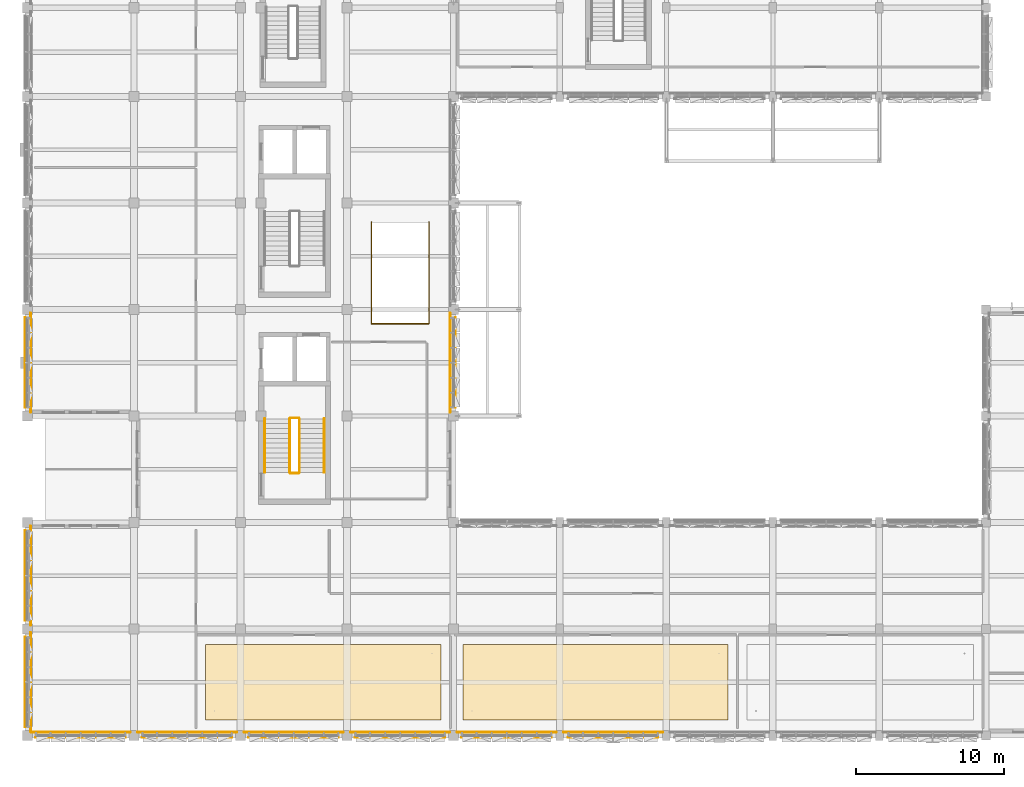
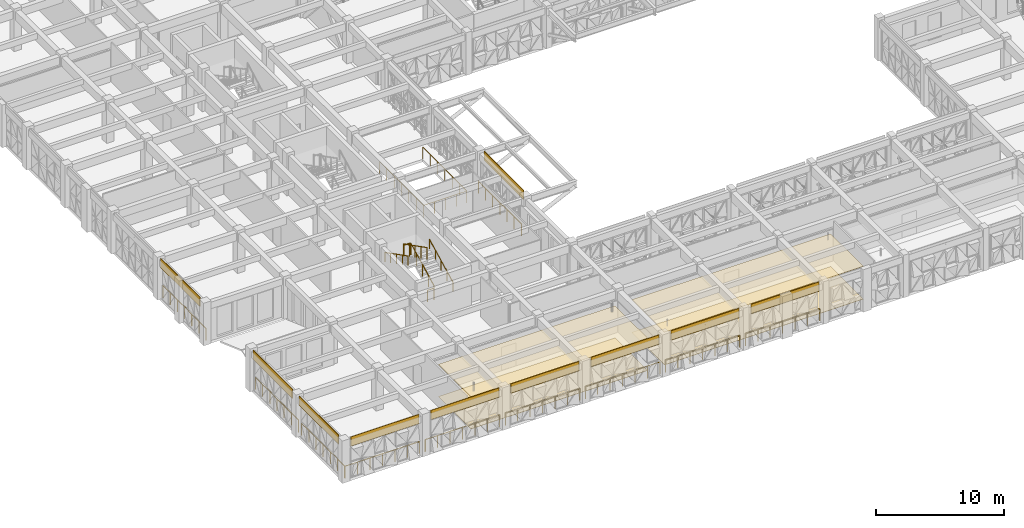
# One storey, part 70 of 88: 17 railings, 14 coverings.
"""IFC4 building model written with IfcOpenShell, lengths in metres."""

import ifcopenshell
import ifcopenshell.guid

model = None  # the IFC model being written
_history = None  # IfcOwnerHistory: only IFC2X3 demands one
_inside = {}  # id of a spatial element -> (the spatial element, [elements in it])
_under = {}  # id of a project, library or spatial element -> (it, [spatial elements below it])
_declared = {}  # id of a project -> (the project, [libraries it declares])
_typed = {}  # id of a type object -> (the type object, [elements of that type])
_made_of = {}  # id of a material, layer set ... -> (it, [elements and type objects made of it])


def new_model(schema):
    """Start an empty IFC model of exactly this schema.

    Asked for "IFC4X3", IfcOpenShell would pick the latest addendum, in which some entities
    have other attributes; the version numbers below select the first issue.
    IFC2X3 requires an IfcOwnerHistory on every rooted entity: one is made here for all.
    """
    global model, _history
    if schema == "IFC4X3":
        model = ifcopenshell.file(schema_version=(4, 3, 0, 0))
    else:
        model = ifcopenshell.file(schema=schema)
    _inside.clear()
    _under.clear()
    _declared.clear()
    _typed.clear()
    _made_of.clear()
    _history = None
    if model.schema == "IFC2X3":
        org = make("IfcOrganization", Name="unknown")
        user = make(
            "IfcPersonAndOrganization",
            ThePerson=make("IfcPerson", FamilyName="unknown"),
            TheOrganization=org,
        )
        app = make(
            "IfcApplication",
            ApplicationDeveloper=org,
            Version="unknown",
            ApplicationFullName="unknown",
            ApplicationIdentifier="unknown",
        )
        _history = make(
            "IfcOwnerHistory",
            OwningUser=user,
            OwningApplication=app,
            ChangeAction="ADDED",
            CreationDate=0,
        )
    return model


def make(cls, **values):
    """One entity of the class cls with the attributes given. An attribute that is None is left unset."""
    return model.create_entity(
        cls, **{name: value for name, value in values.items() if value is not None}
    )


def rooted(cls, **values):
    """An entity with a GlobalId (a new one), such as an element, a storey or a relation."""
    return make(cls, GlobalId=ifcopenshell.guid.new(), OwnerHistory=_history, **values)


def si_unit(unit_type, name, prefix=None):
    """IfcSIUnit, for example si_unit("LENGTHUNIT", "METRE", prefix="MILLI")."""
    return make("IfcSIUnit", UnitType=unit_type, Prefix=prefix, Name=name)


def assignment(units):
    """IfcUnitAssignment: the units of a project."""
    return None if units is None else make("IfcUnitAssignment", Units=units)


def point(xyz):
    """IfcCartesianPoint."""
    return None if xyz is None else make("IfcCartesianPoint", Coordinates=xyz)


def direction(xyz):
    """IfcDirection."""
    return None if xyz is None else make("IfcDirection", DirectionRatios=xyz)


def frame(location, z_axis=None, x_axis=None):
    """IfcAxis2Placement3D, a coordinate frame: its origin and axes. An axis left out is left unset."""
    return make(
        "IfcAxis2Placement3D",
        Location=point(location),
        Axis=direction(z_axis),
        RefDirection=direction(x_axis),
    )


def frame_2d(location, x_axis=None):
    """IfcAxis2Placement2D, a coordinate frame in the plane: its origin and x axis."""
    return make(
        "IfcAxis2Placement2D", Location=point(location), RefDirection=direction(x_axis)
    )


def origin():
    """The frame at (0, 0, 0) with its axes left unset."""
    return frame((0.0, 0.0, 0.0))


def origin_2d():
    """The frame at (0, 0) in the plane with its x axis left unset."""
    return frame_2d((0.0, 0.0))


def place(relative_to, where):
    """IfcLocalPlacement: puts the frame where relative to a parent placement (None: the world)."""
    return make(
        "IfcLocalPlacement", PlacementRelTo=relative_to, RelativePlacement=where
    )


def context(
    kind, dimensions, precision=None, world=None, true_north=None, identifier=None
):
    """IfcGeometricRepresentationContext, for example the 3D "Model" context."""
    return make(
        "IfcGeometricRepresentationContext",
        ContextIdentifier=identifier,
        ContextType=kind,
        CoordinateSpaceDimension=dimensions,
        Precision=precision,
        WorldCoordinateSystem=world,
        TrueNorth=true_north,
    )


def subcontext(parent, identifier, kind, view, scale=None):
    """IfcGeometricRepresentationSubContext, for example "Body" below "Model"."""
    return make(
        "IfcGeometricRepresentationSubContext",
        ContextIdentifier=identifier,
        ContextType=kind,
        ParentContext=parent,
        TargetScale=scale,
        TargetView=view,
    )


def project(units=None, contexts=None):
    """IfcProject with its units and contexts."""
    return rooted(
        "IfcProject",
        Name="project",
        RepresentationContexts=contexts,
        UnitsInContext=assignment(units),
    )


def spatial(cls, under=None, at=None, **own):
    """A site, building, storey or space (cls), placed at a placement, below another one or the project."""
    s = rooted(cls, ObjectPlacement=at, **own)
    if under is not None:
        _under.setdefault(under.id(), (under, []))[1].append(s)
    return s


def polyline(points):
    """IfcPolyline through the points."""
    return make("IfcPolyline", Points=[point(p) for p in points])


def profile(cls, at=None, kind="AREA", **sizes):
    """A parametric profile (cls). Its sizes go by their IFC names, for example OverallWidth=200.0."""
    return make(cls, ProfileType=kind, Position=at, **sizes)


def circle(**sizes):
    """IfcCircleProfileDef."""
    return profile("IfcCircleProfileDef", **sizes)


def outline(outer, holes=None, kind="AREA"):
    """IfcArbitraryClosedProfileDef: a profile drawn as a closed curve; with holes, ...WithVoids."""
    if holes is None:
        return make("IfcArbitraryClosedProfileDef", ProfileType=kind, OuterCurve=outer)
    return make(
        "IfcArbitraryProfileDefWithVoids",
        ProfileType=kind,
        OuterCurve=outer,
        InnerCurves=holes,
    )


def extrude(swept, where, along, depth):
    """IfcExtrudedAreaSolid: the profile swept, set in the frame where, extruded along a direction by depth."""
    return make(
        "IfcExtrudedAreaSolid",
        SweptArea=swept,
        Position=where,
        ExtrudedDirection=direction(along),
        Depth=depth,
    )


def shape(context_of_items, identifier, shape_type, items):
    """IfcShapeRepresentation: the items that make up one representation, for example the "Body"."""
    return make(
        "IfcShapeRepresentation",
        ContextOfItems=context_of_items,
        RepresentationIdentifier=identifier,
        RepresentationType=shape_type,
        Items=items,
    )


def material(Name=None, Category=None):
    """IfcMaterial."""
    return make("IfcMaterial", Name=Name, Category=Category)


def layer(
    of_material, thickness, ventilated=None, Name=None, Category=None, Priority=None
):
    """IfcMaterialLayer: one layer of a wall or slab, of a material (None: an air gap)."""
    return make(
        "IfcMaterialLayer",
        Material=of_material,
        LayerThickness=thickness,
        IsVentilated=ventilated,
        Name=Name,
        Category=Category,
        Priority=Priority,
    )


def layer_set(layers, Name=None):
    """IfcMaterialLayerSet."""
    return make("IfcMaterialLayerSet", MaterialLayers=layers, LayerSetName=Name)


def made_of(thing, what):
    """Note that an element or type object is made of a material, layer set ...; save() writes the relation."""
    if what is not None:
        _made_of.setdefault(what.id(), (what, []))[1].append(thing)
    return thing


def type_object(cls, material=None, **own):
    """A type object (cls), such as IfcWallType, which elements share."""
    return made_of(rooted(cls, **own), material)


def element(
    cls,
    number,
    at=None,
    inside=None,
    cuts=None,
    type_object=None,
    material=None,
    context=None,
    identifier="Body",
    shape_type=None,
    held_by="IfcProductDefinitionShape",
    body=None,
    shapes=None,
    **own,
):
    """One element of the class cls, such as IfcWall. Its Tag is "e" and its number.

    at: its placement. inside: the storey or other place that contains it. cuts: it is an
    opening in that element (IfcRelVoidsElement). A single representation is given by context,
    identifier, shape_type and body (its items); several are given by shapes. held_by: the class
    of the entity that holds the representations. save() writes the other relations.
    """
    e = rooted(cls, Tag="e%d" % number, ObjectPlacement=at, **own)
    if body is not None:
        shapes = [shape(context, identifier, shape_type, body)]
    if shapes is not None:
        e.Representation = make(held_by, Representations=shapes)
    if inside is not None:
        _inside.setdefault(inside.id(), (inside, []))[1].append(e)
    if cuts is not None:
        rooted(
            "IfcRelVoidsElement", RelatingBuildingElement=cuts, RelatedOpeningElement=e
        )
    if type_object is not None:
        _typed.setdefault(type_object.id(), (type_object, []))[1].append(e)
    return made_of(e, material)


def aggregate(whole, parts):
    """IfcRelAggregates: a whole, such as a stair, and the parts it consists of."""
    return rooted("IfcRelAggregates", RelatingObject=whole, RelatedObjects=parts)


def save(model, path):
    """Write the relations noted so far, then the file.

    IfcRelAggregates (storeys below a building ...), IfcRelContainedInSpatialStructure (elements
    in a storey), IfcRelDefinesByType, IfcRelAssociatesMaterial and IfcRelDeclares: one each for
    every whole, place, type object, material and project.
    """
    for whole, parts in _under.values():
        aggregate(whole, parts)
    for where, things in _inside.values():
        rooted(
            "IfcRelContainedInSpatialStructure",
            RelatedElements=things,
            RelatingStructure=where,
        )
    for kind, things in _typed.values():
        rooted("IfcRelDefinesByType", RelatedObjects=things, RelatingType=kind)
    for what, things in _made_of.values():
        rooted("IfcRelAssociatesMaterial", RelatedObjects=things, RelatingMaterial=what)
    for by, libraries in _declared.values():
        rooted("IfcRelDeclares", RelatingContext=by, RelatedDefinitions=libraries)
    model.write(path)


model = new_model("IFC4")

# Units and contexts
model_context = context("Model", 3, precision=1e-05, world=origin(), true_north=direction((0.0, 1.0)))
body_context = subcontext(model_context, "Body", "Model", "MODEL_VIEW")
ifc_project = project(units=[si_unit("LENGTHUNIT", "METRE"), si_unit("AREAUNIT", "SQUARE_METRE"), si_unit("VOLUMEUNIT", "CUBIC_METRE"), si_unit("PLANEANGLEUNIT", "RADIAN"), si_unit("MASSUNIT", "GRAM", prefix="KILO")], contexts=[model_context])

# Site, building, storey
site_placement = place(None, origin())
site = spatial("IfcSite", under=ifc_project, at=site_placement, CompositionType="ELEMENT")
building_placement = place(site_placement, origin())
building = spatial("IfcBuilding", under=site, at=building_placement, Name="Alvorim Cloister Faculty of Sciences", CompositionType="ELEMENT")
storey_placement = place(building_placement, frame((0.0, 0.0, 4.5)))
storey = spatial("IfcBuildingStorey", under=building, at=storey_placement, Name="L01", CompositionType="ELEMENT", Elevation=4.5)

# Coverings
ifc_material_1 = material(Name="Perforated Timber Acoustic Ceiling", Category="wood")
ifc_layer_1 = layer(ifc_material_1, 0.030029296875)
ifc_layer_set_1 = layer_set([ifc_layer_1], Name="Perforated Timber Acoustic Ceiling")
covering_type_1 = type_object("IfcCoveringType", Name="COV-CEIL-ACOUSTIC", PredefinedType="CEILING", material=ifc_layer_set_1)
covering_1_placement = place(storey_placement, frame((0.0, 0.0, 3.06005859375)))
element("IfcCovering", 1, at=covering_1_placement, inside=storey, type_object=covering_type_1, Name="Seminar Room 102 Acoustic Ceiling", PredefinedType="CEILING", context=body_context, shape_type="SweptSolid", body=[
    extrude(outline(polyline([(12.050048828125, 1.050048828125), (27.949951171875, 1.050048828125), (27.949951171875, 6.14990234375), (12.050048828125, 6.14990234375), (12.050048828125, 1.050048828125)])), origin(), (0.0, 0.0, 1.0), 0.030029296875),
])
covering_2_placement = place(storey_placement, frame((0.0, 0.0, 3.110107421875)))
element("IfcCovering", 2, at=covering_2_placement, inside=storey, type_object=covering_type_1, Name="Active Learning Studio 103 Acoustic Ceiling", PredefinedType="CEILING", context=body_context, shape_type="SweptSolid", body=[
    extrude(outline(polyline([(29.449951171875, 1.050048828125), (47.35009765625, 1.050048828125), (47.35009765625, 6.14990234375), (29.449951171875, 6.14990234375), (29.449951171875, 1.050048828125)])), origin(), (0.0, 0.0, 1.0), 0.02978515625),
])
ifc_material_2 = material(Name="Anodised Aluminium Alloy 6063-T6", Category="aluminium")
ifc_layer_2 = layer(ifc_material_2, 0.031982421875)
ifc_layer_set_2 = layer_set([ifc_layer_2], Name="Anodised Aluminium Alloy 6063-T6")
covering_type_2 = type_object("IfcCoveringType", Name="COV-FAC-CAS", PredefinedType="CLADDING", material=ifc_layer_set_2)
for number, where, z_axis, x_axis, name in (
    (3, (-0.14990234375, 22.139892578125, 3.14990234375), (0.0, 0.0, 1.0), (0.0, 1.0, 0.0), "L01 Shifted Bar Slab-Edge Architectural Fascia"),
    (4, (28.949951171875, 22.139892578125, 3.14990234375), (0.0, 0.0, 1.0), (0.0, 1.0, 0.0), "L01 Shifted Bar Slab-Edge Architectural Fascia"),
    (5, (36.5400390625, -0.14990234375, 3.14990234375), (0.0, 0.0, 1.0), (1.0, 0.0, 0.0), "L01 Shifted Bar Slab-Edge Architectural Fascia"),
    (6, (29.340087890625, -0.14990234375, 3.14990234375), (0.0, 0.0, 1.0), (1.0, 0.0, 0.0), "L01 Shifted Bar Slab-Edge Architectural Fascia"),
    (7, (22.139892578125, -0.14990234375, 3.14990234375), (0.0, 0.0, 1.0), (1.0, 0.0, 0.0), "L01 Shifted Bar Slab-Edge Architectural Fascia"),
    (8, (14.93994140625, -0.14990234375, 3.14990234375), (0.0, 0.0, 1.0), (1.0, 0.0, 0.0), "L01 Shifted Bar Slab-Edge Architectural Fascia"),
    (9, (7.739990234375, -0.14990234375, 3.14990234375), (0.0, 0.0, 1.0), (1.0, 0.0, 0.0), "L01 Shifted Bar Slab-Edge Architectural Fascia"),
    (10, (0.5400390625, -0.14990234375, 3.14990234375), (0.0, 0.0, 1.0), (1.0, 0.0, 0.0), "L01 Shifted Bar Slab-Edge Architectural Fascia"),
    (11, (-0.14990234375, 0.5400390625, 3.14990234375), (0.0, 0.0, 1.0), (0.0, 1.0, 0.0), "L01 Shifted Bar Slab-Edge Architectural Fascia"),
    (12, (-0.14990234375, 7.739990234375, 3.14990234375), (0.0, 0.0, 1.0), (0.0, 1.0, 0.0), "L01 Shifted Bar Slab-Edge Architectural Fascia"),
):
    element("IfcCovering", number, at=place(storey_placement, frame(where, z_axis=z_axis, x_axis=x_axis)), inside=storey, type_object=covering_type_2, Name=name, PredefinedType="CLADDING", context=body_context, shape_type="SweptSolid", body=[
        extrude(outline(polyline([(0.0, 0.0), (6.1201171875, 0.0), (6.1201171875, 0.89013671875), (0.0, 0.89013671875), (0.0, 0.0)])), frame((0.0, 0.0224609375, 0.0), z_axis=(0.0, -1.0, 0.0), x_axis=(1.0, 0.0, 0.0)), (0.0, 0.0, 1.0), 0.044921875),
    ])
ifc_material_3 = material(Name="Polished Mineral Terrazzo", Category="concrete")
ifc_layer_3 = layer(ifc_material_3, 0.030029296875)
ifc_layer_set_3 = layer_set([ifc_layer_3], Name="Polished Mineral Terrazzo")
covering_type_3 = type_object("IfcCoveringType", Name="COV-FLR-TERRAZZO", PredefinedType="FLOORING", material=ifc_layer_set_3)
covering_3_placement = place(storey_placement, origin())
element("IfcCovering", 13, at=covering_3_placement, inside=storey, type_object=covering_type_3, Name="Seminar Room 102 Floor Finish", PredefinedType="FLOORING", context=body_context, shape_type="SweptSolid", body=[
    extrude(outline(polyline([(12.050048828125, 1.050048828125), (27.949951171875, 1.050048828125), (27.949951171875, 6.14990234375), (12.050048828125, 6.14990234375), (12.050048828125, 1.050048828125)])), origin(), (0.0, 0.0, 1.0), 0.030029296875),
])
covering_4_placement = place(storey_placement, origin())
element("IfcCovering", 14, at=covering_4_placement, inside=storey, type_object=covering_type_3, Name="Active Learning Studio 103 Floor Finish", PredefinedType="FLOORING", context=body_context, shape_type="SweptSolid", body=[
    extrude(outline(polyline([(29.449951171875, 1.050048828125), (47.35009765625, 1.050048828125), (47.35009765625, 6.14990234375), (29.449951171875, 6.14990234375), (29.449951171875, 1.050048828125)])), origin(), (0.0, 0.0, 1.0), 0.030029296875),
])

# Railings
ifc_material_4 = material(Name="Laminated Safety Glass and Bronze", Category="glass")
railing_type_1 = type_object("IfcRailingType", Name="RL-ATR-BAL-1150", PredefinedType="BALUSTRADE", material=ifc_material_4)
for number, where, name in (
    (15, (0.219970703125, 21.85009765625, 0.0), "L01 Curtain Wall Sill Guard BL-01"),
    (16, (28.580078125, 21.85009765625, 0.0), "L01 Curtain Wall Sill Guard BL-20"),
):
    element("IfcRailing", number, at=place(storey_placement, frame(where)), inside=storey, type_object=railing_type_1, Name=name, PredefinedType="BALUSTRADE", context=body_context, shape_type="SweptSolid", body=[
        extrude(circle(Radius=0.02392578125, at=origin_2d()), frame((0.0, 0.0, 1.1259765625), z_axis=(0.0, 1.0, 0.0), x_axis=(-1.0, 0.0, 0.0)), (0.0, 0.0, 1.0), 6.699951171875),
        extrude(circle(Radius=0.02099609375, at=origin_2d()), origin(), (0.0, 0.0, 1.0), 1.101806640625),
        extrude(circle(Radius=0.02099609375, at=origin_2d()), frame((0.0, 1.11669921875, 0.0)), (0.0, 0.0, 1.0), 1.101806640625),
        extrude(circle(Radius=0.02099609375, at=origin_2d()), frame((0.0, 2.2333984375, 0.0)), (0.0, 0.0, 1.0), 1.101806640625),
        extrude(circle(Radius=0.02099609375, at=origin_2d()), frame((0.0, 3.35009765625, 0.0)), (0.0, 0.0, 1.0), 1.101806640625),
        extrude(circle(Radius=0.02099609375, at=origin_2d()), frame((0.0, 4.466552734375, 0.0)), (0.0, 0.0, 1.0), 1.101806640625),
        extrude(circle(Radius=0.02099609375, at=origin_2d()), frame((0.0, 5.583251953125, 0.0)), (0.0, 0.0, 1.0), 1.101806640625),
        extrude(circle(Radius=0.02099609375, at=origin_2d()), frame((0.0, 6.699951171875, 0.0)), (0.0, 0.0, 1.0), 1.101806640625),
    ])
for number, where, name in (
    (17, (36.25, 0.219970703125, 0.0), "L01 Curtain Wall Sill Guard BL-37"),
    (18, (29.050048828125, 0.219970703125, 0.0), "L01 Curtain Wall Sill Guard BL-38"),
    (19, (21.85009765625, 0.219970703125, 0.0), "L01 Curtain Wall Sill Guard BL-39"),
):
    element("IfcRailing", number, at=place(storey_placement, frame(where)), inside=storey, type_object=railing_type_1, Name=name, PredefinedType="BALUSTRADE", context=body_context, shape_type="SweptSolid", body=[
        extrude(circle(Radius=0.02392578125, at=origin_2d()), frame((0.0, 0.0, 1.1259765625), z_axis=(1.0, 0.0, 0.0), x_axis=(0.0, 1.0, 0.0)), (0.0, 0.0, 1.0), 6.699951171875),
        extrude(circle(Radius=0.02099609375, at=origin_2d()), origin(), (0.0, 0.0, 1.0), 1.101806640625),
        extrude(circle(Radius=0.02099609375, at=origin_2d()), frame((1.11669921875, 0.0, 0.0)), (0.0, 0.0, 1.0), 1.101806640625),
        extrude(circle(Radius=0.02099609375, at=origin_2d()), frame((2.2333984375, 0.0, 0.0)), (0.0, 0.0, 1.0), 1.101806640625),
        extrude(circle(Radius=0.02099609375, at=origin_2d()), frame((3.35009765625, 0.0, 0.0)), (0.0, 0.0, 1.0), 1.101806640625),
        extrude(circle(Radius=0.02099609375, at=origin_2d()), frame((4.466552734375, 0.0, 0.0)), (0.0, 0.0, 1.0), 1.101806640625),
        extrude(circle(Radius=0.02099609375, at=origin_2d()), frame((5.583251953125, 0.0, 0.0)), (0.0, 0.0, 1.0), 1.101806640625),
        extrude(circle(Radius=0.02099609375, at=origin_2d()), frame((6.699951171875, 0.0, 0.0)), (0.0, 0.0, 1.0), 1.101806640625),
    ])
railing_1_placement = place(storey_placement, frame((14.64990234375, 0.219970703125, 0.0)))
element("IfcRailing", 20, at=railing_1_placement, inside=storey, type_object=railing_type_1, Name="L01 Curtain Wall Sill Guard BL-40", PredefinedType="BALUSTRADE", context=body_context, shape_type="SweptSolid", body=[
    extrude(circle(Radius=0.02392578125, at=origin_2d()), frame((0.0, 0.0, 1.1259765625), z_axis=(1.0, 0.0, 0.0), x_axis=(0.0, 1.0, 0.0)), (0.0, 0.0, 1.0), 6.7001953125),
    extrude(circle(Radius=0.02099609375, at=origin_2d()), origin(), (0.0, 0.0, 1.0), 1.101806640625),
    extrude(circle(Radius=0.02099609375, at=origin_2d()), frame((1.11669921875, 0.0, 0.0)), (0.0, 0.0, 1.0), 1.101806640625),
    extrude(circle(Radius=0.02099609375, at=origin_2d()), frame((2.2333984375, 0.0, 0.0)), (0.0, 0.0, 1.0), 1.101806640625),
    extrude(circle(Radius=0.02099609375, at=origin_2d()), frame((3.35009765625, 0.0, 0.0)), (0.0, 0.0, 1.0), 1.101806640625),
    extrude(circle(Radius=0.02099609375, at=origin_2d()), frame((4.466796875, 0.0, 0.0)), (0.0, 0.0, 1.0), 1.101806640625),
    extrude(circle(Radius=0.02099609375, at=origin_2d()), frame((5.58349609375, 0.0, 0.0)), (0.0, 0.0, 1.0), 1.101806640625),
    extrude(circle(Radius=0.02099609375, at=origin_2d()), frame((6.7001953125, 0.0, 0.0)), (0.0, 0.0, 1.0), 1.101806640625),
])
for number, where, name in (
    (21, (7.449951171875, 0.219970703125, 0.0), "L01 Curtain Wall Sill Guard BL-41"),
    (22, (0.25, 0.219970703125, 0.0), "L01 Curtain Wall Sill Guard BL-42"),
):
    element("IfcRailing", number, at=place(storey_placement, frame(where)), inside=storey, type_object=railing_type_1, Name=name, PredefinedType="BALUSTRADE", context=body_context, shape_type="SweptSolid", body=[
        extrude(circle(Radius=0.02392578125, at=origin_2d()), frame((0.0, 0.0, 1.1259765625), z_axis=(1.0, 0.0, 0.0), x_axis=(0.0, 1.0, 0.0)), (0.0, 0.0, 1.0), 6.699951171875),
        extrude(circle(Radius=0.02099609375, at=origin_2d()), origin(), (0.0, 0.0, 1.0), 1.101806640625),
        extrude(circle(Radius=0.02099609375, at=origin_2d()), frame((1.11669921875, 0.0, 0.0)), (0.0, 0.0, 1.0), 1.101806640625),
        extrude(circle(Radius=0.02099609375, at=origin_2d()), frame((2.2333984375, 0.0, 0.0)), (0.0, 0.0, 1.0), 1.101806640625),
        extrude(circle(Radius=0.02099609375, at=origin_2d()), frame((3.35009765625, 0.0, 0.0)), (0.0, 0.0, 1.0), 1.101806640625),
        extrude(circle(Radius=0.02099609375, at=origin_2d()), frame((4.466552734375, 0.0, 0.0)), (0.0, 0.0, 1.0), 1.101806640625),
        extrude(circle(Radius=0.02099609375, at=origin_2d()), frame((5.583251953125, 0.0, 0.0)), (0.0, 0.0, 1.0), 1.101806640625),
        extrude(circle(Radius=0.02099609375, at=origin_2d()), frame((6.699951171875, 0.0, 0.0)), (0.0, 0.0, 1.0), 1.101806640625),
    ])
for number, where, name in (
    (23, (0.219970703125, 0.25, 0.0), "L01 Curtain Wall Sill Guard BL-43"),
    (24, (0.219970703125, 7.449951171875, 0.0), "L01 Curtain Wall Sill Guard BL-44"),
):
    element("IfcRailing", number, at=place(storey_placement, frame(where)), inside=storey, type_object=railing_type_1, Name=name, PredefinedType="BALUSTRADE", context=body_context, shape_type="SweptSolid", body=[
        extrude(circle(Radius=0.02392578125, at=origin_2d()), frame((0.0, 0.0, 1.1259765625), z_axis=(0.0, 1.0, 0.0), x_axis=(-1.0, 0.0, 0.0)), (0.0, 0.0, 1.0), 6.699951171875),
        extrude(circle(Radius=0.02099609375, at=origin_2d()), origin(), (0.0, 0.0, 1.0), 1.101806640625),
        extrude(circle(Radius=0.02099609375, at=origin_2d()), frame((0.0, 1.11669921875, 0.0)), (0.0, 0.0, 1.0), 1.101806640625),
        extrude(circle(Radius=0.02099609375, at=origin_2d()), frame((0.0, 2.2333984375, 0.0)), (0.0, 0.0, 1.0), 1.101806640625),
        extrude(circle(Radius=0.02099609375, at=origin_2d()), frame((0.0, 3.35009765625, 0.0)), (0.0, 0.0, 1.0), 1.101806640625),
        extrude(circle(Radius=0.02099609375, at=origin_2d()), frame((0.0, 4.466552734375, 0.0)), (0.0, 0.0, 1.0), 1.101806640625),
        extrude(circle(Radius=0.02099609375, at=origin_2d()), frame((0.0, 5.583251953125, 0.0)), (0.0, 0.0, 1.0), 1.101806640625),
        extrude(circle(Radius=0.02099609375, at=origin_2d()), frame((0.0, 6.699951171875, 0.0)), (0.0, 0.0, 1.0), 1.101806640625),
    ])
railing_2_placement = place(storey_placement, frame((23.2548828125, 34.719970703125, 0.0)))
element("IfcRailing", 25, at=railing_2_placement, inside=storey, type_object=railing_type_1, Name="L01 Monumental Stair Well Guard BL-343", PredefinedType="BALUSTRADE", context=body_context, shape_type="SweptSolid", body=[
    extrude(circle(Radius=0.02392578125, at=origin_2d()), frame((0.0, 0.0, 1.1259765625), z_axis=(0.0, -1.0, 0.0), x_axis=(1.0, 0.0, 0.0)), (0.0, 0.0, 1.0), 6.8798828125),
    extrude(circle(Radius=0.02392578125, at=origin_2d()), frame((0.0, -6.8798828125, 1.1259765625), z_axis=(1.0, 0.0, 0.0), x_axis=(0.0, 1.0, 0.0)), (0.0, 0.0, 1.0), 3.89013671875),
    extrude(circle(Radius=0.02392578125, at=origin_2d()), frame((3.89013671875, -6.8798828125, 1.1259765625), z_axis=(0.0, 1.0, 0.0), x_axis=(-1.0, 0.0, 0.0)), (0.0, 0.0, 1.0), 6.8798828125),
    extrude(circle(Radius=0.02099609375, at=origin_2d()), origin(), (0.0, 0.0, 1.0), 1.101806640625),
    extrude(circle(Radius=0.02099609375, at=origin_2d()), frame((0.0, -1.146728515625, 0.0)), (0.0, 0.0, 1.0), 1.101806640625),
    extrude(circle(Radius=0.02099609375, at=origin_2d()), frame((0.0, -2.293212890625, 0.0)), (0.0, 0.0, 1.0), 1.101806640625),
    extrude(circle(Radius=0.02099609375, at=origin_2d()), frame((0.0, -3.43994140625, 0.0)), (0.0, 0.0, 1.0), 1.101806640625),
    extrude(circle(Radius=0.02099609375, at=origin_2d()), frame((0.0, -4.586669921875, 0.0)), (0.0, 0.0, 1.0), 1.101806640625),
    extrude(circle(Radius=0.02099609375, at=origin_2d()), frame((0.0, -5.733154296875, 0.0)), (0.0, 0.0, 1.0), 1.101806640625),
    extrude(circle(Radius=0.02099609375, at=origin_2d()), frame((0.0, -6.8798828125, 0.0)), (0.0, 0.0, 1.0), 1.101806640625),
    extrude(circle(Radius=0.02099609375, at=origin_2d()), frame((0.97265625, -6.8798828125, 0.0)), (0.0, 0.0, 1.0), 1.101806640625),
    extrude(circle(Radius=0.02099609375, at=origin_2d()), frame((1.945068359375, -6.8798828125, 0.0)), (0.0, 0.0, 1.0), 1.101806640625),
    extrude(circle(Radius=0.02099609375, at=origin_2d()), frame((2.91748046875, -6.8798828125, 0.0)), (0.0, 0.0, 1.0), 1.101806640625),
    extrude(circle(Radius=0.02099609375, at=origin_2d()), frame((3.89013671875, -6.8798828125, 0.0)), (0.0, 0.0, 1.0), 1.101806640625),
    extrude(circle(Radius=0.02099609375, at=origin_2d()), frame((3.89013671875, -5.733154296875, 0.0)), (0.0, 0.0, 1.0), 1.101806640625),
    extrude(circle(Radius=0.02099609375, at=origin_2d()), frame((3.89013671875, -4.586669921875, 0.0)), (0.0, 0.0, 1.0), 1.101806640625),
    extrude(circle(Radius=0.02099609375, at=origin_2d()), frame((3.89013671875, -3.43994140625, 0.0)), (0.0, 0.0, 1.0), 1.101806640625),
    extrude(circle(Radius=0.02099609375, at=origin_2d()), frame((3.89013671875, -2.293212890625, 0.0)), (0.0, 0.0, 1.0), 1.101806640625),
    extrude(circle(Radius=0.02099609375, at=origin_2d()), frame((3.89013671875, -1.146728515625, 0.0)), (0.0, 0.0, 1.0), 1.101806640625),
    extrude(circle(Radius=0.02099609375, at=origin_2d()), frame((3.89013671875, 0.0, 0.0)), (0.0, 0.0, 1.0), 1.101806640625),
])
ifc_material_5 = material(Name="Galvanised Painted Steel", Category="steel")
railing_type_2 = type_object("IfcRailingType", Name="RL-STR-GUARD", PredefinedType="GUARDRAIL", material=ifc_material_5)
railing_3_placement = place(storey_placement, frame((18.389892578125, 17.780029296875, 0.168701171875)))
element("IfcRailing", 26, at=railing_3_placement, inside=storey, type_object=railing_type_2, Name="L01 ST-01 stair guard 1", PredefinedType="GUARDRAIL", context=body_context, shape_type="SweptSolid", body=[
    extrude(circle(Radius=0.02392578125, at=origin_2d()), frame((0.0, 0.0, 1.09619140625), z_axis=(0.0, 0.890342447641, 0.455291473595), x_axis=(-1.0, 0.0, 0.0)), (0.0, 0.0, 1.0), 4.076904296875),
    extrude(circle(Radius=0.02099609375, at=origin_2d()), origin(), (0.0, 0.0, 1.0), 1.072021484375),
    extrude(circle(Radius=0.02099609375, at=origin_2d()), frame((0.0, 0.907470703125, 0.464111328125)), (0.0, 0.0, 1.0), 1.072021484375),
    extrude(circle(Radius=0.02099609375, at=origin_2d()), frame((0.0, 1.81494140625, 0.92822265625)), (0.0, 0.0, 1.0), 1.072021484375),
    extrude(circle(Radius=0.02099609375, at=origin_2d()), frame((0.0, 2.722412109375, 1.39208984375)), (0.0, 0.0, 1.0), 1.072021484375),
    extrude(circle(Radius=0.02099609375, at=origin_2d()), frame((0.0, 3.6298828125, 1.856201171875)), (0.0, 0.0, 1.0), 1.072021484375),
])
railing_4_placement = place(storey_placement, frame((18.340087890625, 21.4599609375, 2.02490234375)))
element("IfcRailing", 27, at=railing_4_placement, inside=storey, type_object=railing_type_2, Name="L01 ST-01 stair guard 2", PredefinedType="GUARDRAIL", context=body_context, shape_type="SweptSolid", body=[
    extrude(circle(Radius=0.02392578125, at=origin_2d()), frame((0.0, 0.0, 1.09619140625), z_axis=(-1.0, 0.0, 0.0), x_axis=(0.0, -1.0, 0.0)), (0.0, 0.0, 1.0), 0.56005859375),
    extrude(circle(Radius=0.02099609375, at=origin_2d()), origin(), (0.0, 0.0, 1.0), 1.072021484375),
    extrude(circle(Radius=0.02099609375, at=origin_2d()), frame((-0.56005859375, 0.0, 0.0)), (0.0, 0.0, 1.0), 1.072021484375),
])
railing_5_placement = place(storey_placement, frame((17.72998046875, 21.409912109375, 2.19384765625)))
element("IfcRailing", 28, at=railing_5_placement, inside=storey, type_object=railing_type_2, Name="L01 ST-01 stair guard 3", PredefinedType="GUARDRAIL", context=body_context, shape_type="SweptSolid", body=[
    extrude(circle(Radius=0.02392578125, at=origin_2d()), frame((0.0, 0.0, 1.09619140625), z_axis=(0.0, -0.890342447641, 0.455291473595), x_axis=(1.0, 0.0, 0.0)), (0.0, 0.0, 1.0), 4.076904296875),
    extrude(circle(Radius=0.02099609375, at=origin_2d()), origin(), (0.0, 0.0, 1.0), 1.072021484375),
    extrude(circle(Radius=0.02099609375, at=origin_2d()), frame((0.0, -0.907470703125, 0.464111328125)), (0.0, 0.0, 1.0), 1.072021484375),
    extrude(circle(Radius=0.02099609375, at=origin_2d()), frame((0.0, -1.81494140625, 0.92822265625)), (0.0, 0.0, 1.0), 1.072021484375),
    extrude(circle(Radius=0.02099609375, at=origin_2d()), frame((0.0, -2.722412109375, 1.39208984375)), (0.0, 0.0, 1.0), 1.072021484375),
    extrude(circle(Radius=0.02099609375, at=origin_2d()), frame((0.0, -3.6298828125, 1.856201171875)), (0.0, 0.0, 1.0), 1.072021484375),
])
railing_6_placement = place(storey_placement, frame((18.340087890625, 17.72998046875, 0.0)))
element("IfcRailing", 29, at=railing_6_placement, inside=storey, type_object=railing_type_2, Name="L01 ST-01 stair guard 4", PredefinedType="GUARDRAIL", context=body_context, shape_type="SweptSolid", body=[
    extrude(circle(Radius=0.02392578125, at=origin_2d()), frame((0.0, 0.0, 1.09619140625), z_axis=(-1.0, 0.0, 0.0), x_axis=(0.0, -1.0, 0.0)), (0.0, 0.0, 1.0), 0.56005859375),
    extrude(circle(Radius=0.02099609375, at=origin_2d()), origin(), (0.0, 0.0, 1.0), 1.072021484375),
    extrude(circle(Radius=0.02099609375, at=origin_2d()), frame((-0.56005859375, 0.0, 0.0)), (0.0, 0.0, 1.0), 1.072021484375),
])
ifc_material_6 = material(Name="Brushed Stainless Steel", Category="steel")
railing_type_3 = type_object("IfcRailingType", Name="RL-STR-HAND", PredefinedType="HANDRAIL", material=ifc_material_6)
railing_7_placement = place(storey_placement, frame((20.070068359375, 17.780029296875, 0.168701171875)))
element("IfcRailing", 30, at=railing_7_placement, inside=storey, type_object=railing_type_3, Name="L01 ST-01 stair handrail 1", PredefinedType="HANDRAIL", context=body_context, shape_type="SweptSolid", body=[
    extrude(circle(Radius=0.02392578125, at=origin_2d()), frame((0.0, 0.0, 0.8759765625), z_axis=(0.0, 0.890342447641, 0.455291473595), x_axis=(-1.0, 0.0, 0.0)), (0.0, 0.0, 1.0), 4.076904296875),
    extrude(circle(Radius=0.02099609375, at=origin_2d()), origin(), (0.0, 0.0, 1.0), 0.851806640625),
    extrude(circle(Radius=0.02099609375, at=origin_2d()), frame((0.0, 0.907470703125, 0.464111328125)), (0.0, 0.0, 1.0), 0.851806640625),
    extrude(circle(Radius=0.02099609375, at=origin_2d()), frame((0.0, 1.81494140625, 0.92822265625)), (0.0, 0.0, 1.0), 0.851806640625),
    extrude(circle(Radius=0.02099609375, at=origin_2d()), frame((0.0, 2.722412109375, 1.39208984375)), (0.0, 0.0, 1.0), 0.851806640625),
    extrude(circle(Radius=0.02099609375, at=origin_2d()), frame((0.0, 3.6298828125, 1.856201171875)), (0.0, 0.0, 1.0), 0.851806640625),
])
railing_8_placement = place(storey_placement, frame((16.050048828125, 21.409912109375, 2.19384765625)))
element("IfcRailing", 31, at=railing_8_placement, inside=storey, type_object=railing_type_3, Name="L01 ST-01 stair handrail 2", PredefinedType="HANDRAIL", context=body_context, shape_type="SweptSolid", body=[
    extrude(circle(Radius=0.02392578125, at=origin_2d()), frame((0.0, 0.0, 0.8759765625), z_axis=(0.0, -0.890342447641, 0.455291473595), x_axis=(1.0, 0.0, 0.0)), (0.0, 0.0, 1.0), 4.076904296875),
    extrude(circle(Radius=0.02099609375, at=origin_2d()), origin(), (0.0, 0.0, 1.0), 0.851806640625),
    extrude(circle(Radius=0.02099609375, at=origin_2d()), frame((0.0, -0.907470703125, 0.464111328125)), (0.0, 0.0, 1.0), 0.851806640625),
    extrude(circle(Radius=0.02099609375, at=origin_2d()), frame((0.0, -1.81494140625, 0.92822265625)), (0.0, 0.0, 1.0), 0.851806640625),
    extrude(circle(Radius=0.02099609375, at=origin_2d()), frame((0.0, -2.722412109375, 1.39208984375)), (0.0, 0.0, 1.0), 0.851806640625),
    extrude(circle(Radius=0.02099609375, at=origin_2d()), frame((0.0, -3.6298828125, 1.856201171875)), (0.0, 0.0, 1.0), 0.851806640625),
])

save(model, "model.ifc")
